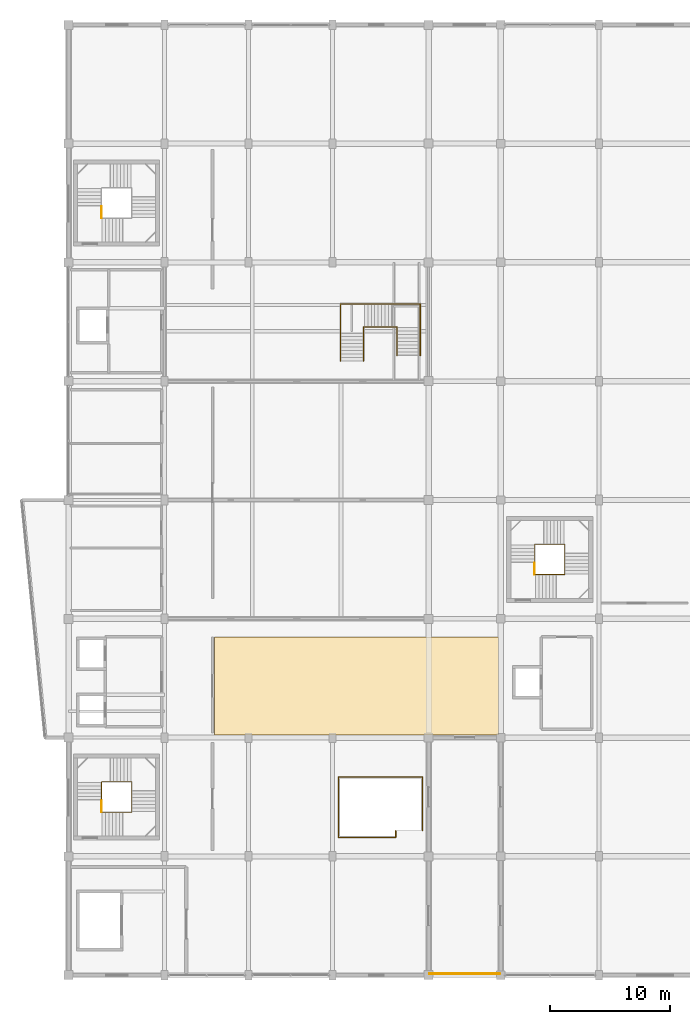
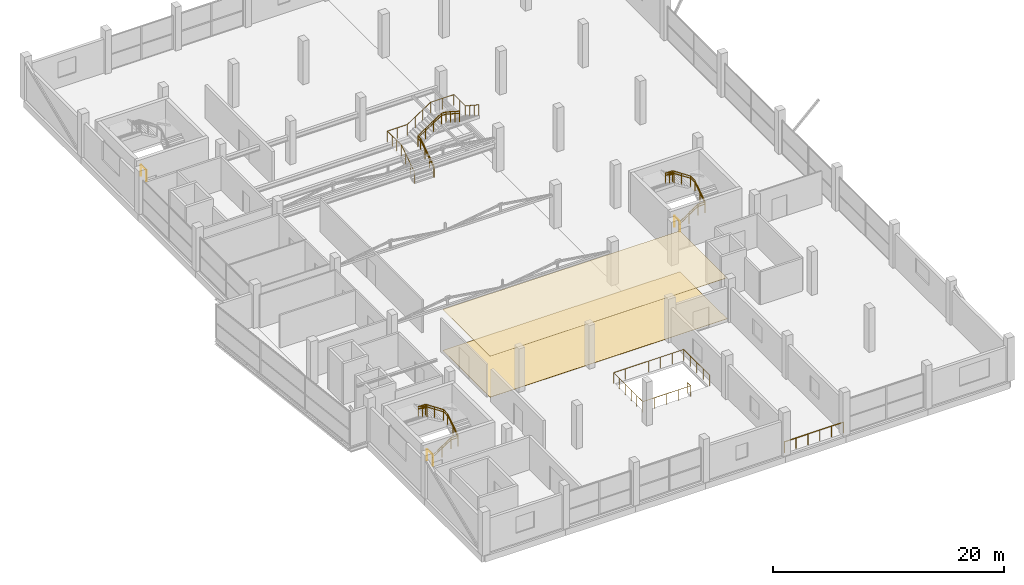
# One storey, part 48 of 49: 12 railings, 2 coverings.
"""IFC4 building model written with IfcOpenShell, lengths in metres."""

from ifc_helpers import new_model, si_unit, direction, frame, origin, origin_2d, place, context, subcontext, project, spatial, polyline, circle, outline, extrude, material, layer, layer_set, type_object, element, save


model = new_model("IFC4")

# Units and contexts
model_context = context("Model", 3, precision=1e-05, world=origin(), true_north=direction((0.0, 1.0)))
body_context = subcontext(model_context, "Body", "Model", "MODEL_VIEW")
ifc_project = project(units=[si_unit("LENGTHUNIT", "METRE"), si_unit("AREAUNIT", "SQUARE_METRE"), si_unit("VOLUMEUNIT", "CUBIC_METRE"), si_unit("PLANEANGLEUNIT", "RADIAN"), si_unit("MASSUNIT", "GRAM", prefix="KILO")], contexts=[model_context])

# Site, building, storey
site_placement = place(None, origin())
site = spatial("IfcSite", under=ifc_project, at=site_placement, CompositionType="ELEMENT")
building_placement = place(site_placement, origin())
building = spatial("IfcBuilding", under=site, at=building_placement, Name="Sillaruma Civic Art Gallery", CompositionType="ELEMENT")
storey_placement = place(building_placement, frame((0.0, 0.0, 33.14990234375)))
storey = spatial("IfcBuildingStorey", under=building, at=storey_placement, Name="L06", CompositionType="ELEMENT", Elevation=33.14990234375)

# Coverings
ifc_material_1 = material(Name="Gypsum Acoustic Board", Category="gypsum")
ifc_layer_1 = layer(ifc_material_1, 0.030029296875, Name="Gypsum Acoustic Board")
ifc_layer_set_1 = layer_set([ifc_layer_1], Name="Gypsum Acoustic Board")
covering_type_1 = type_object("IfcCoveringType", Name="COV-CLG-30", PredefinedType="CEILING", material=ifc_layer_set_1)
covering_1_placement = place(storey_placement, frame((0.0, 0.0, 4.320068359375)))
element("IfcCovering", 1, at=covering_1_placement, inside=storey, type_object=covering_type_1, Name="Acoustic Gallery Ceiling (L06-GAL61)", PredefinedType="CEILING", context=body_context, shape_type="SweptSolid", body=[
    extrude(outline(polyline([(74.159912109375, 39.81005859375), (97.840087890625, 39.81005859375), (97.840087890625, 47.989990234375), (74.159912109375, 47.989990234375), (74.159912109375, 39.81005859375)])), origin(), (0.0, 0.0, 1.0), 0.030029296875),
])
ifc_material_2 = material(Name="Polished Terrazzo", Category="masonry")
ifc_layer_2 = layer(ifc_material_2, 0.02490234375, Name="Polished Terrazzo")
ifc_layer_set_2 = layer_set([ifc_layer_2], Name="Polished Terrazzo")
covering_type_2 = type_object("IfcCoveringType", Name="COV-FLR-25", PredefinedType="FLOORING", material=ifc_layer_set_2)
covering_2_placement = place(storey_placement, origin())
element("IfcCovering", 2, at=covering_2_placement, inside=storey, type_object=covering_type_2, Name="Gallery Stone Terrazzo Flooring (L06-GAL61)", PredefinedType="FLOORING", context=body_context, shape_type="SweptSolid", body=[
    extrude(outline(polyline([(74.159912109375, 39.81005859375), (97.840087890625, 39.81005859375), (97.840087890625, 47.989990234375), (74.159912109375, 47.989990234375), (74.159912109375, 39.81005859375)])), origin(), (0.0, 0.0, 1.0), 0.025146484375),
])

# Railings
ifc_material_3 = material(Name="Stainless Steel AISI 316", Category="steel")
railing_type_1 = type_object("IfcRailingType", Name="RAL-BAL-1150", PredefinedType="BALUSTRADE", material=ifc_material_3)
railing_1_placement = place(storey_placement, frame((92.06005859375, 19.919921875, 0.0)))
element("IfcRailing", 3, at=railing_1_placement, inside=storey, type_object=railing_type_1, Name="Sculpture Terrace Balustrade (SLB-L06-TER-CS-1)", PredefinedType="BALUSTRADE", context=body_context, shape_type="SweptSolid", body=[
    extrude(circle(Radius=0.02392578125, at=origin_2d()), frame((0.0, 0.0, 1.1259765625), z_axis=(1.0, 0.0, 0.0), x_axis=(0.0, 1.0, 0.0)), (0.0, 0.0, 1.0), 5.8798828125),
    extrude(circle(Radius=0.02099609375, at=origin_2d()), origin(), (0.0, 0.0, 1.0), 1.101806640625),
    extrude(circle(Radius=0.02099609375, at=origin_2d()), frame((1.176025390625, 0.0, 0.0)), (0.0, 0.0, 1.0), 1.101806640625),
    extrude(circle(Radius=0.02099609375, at=origin_2d()), frame((2.35205078125, 0.0, 0.0)), (0.0, 0.0, 1.0), 1.101806640625),
    extrude(circle(Radius=0.02099609375, at=origin_2d()), frame((3.52783203125, 0.0, 0.0)), (0.0, 0.0, 1.0), 1.101806640625),
    extrude(circle(Radius=0.02099609375, at=origin_2d()), frame((4.703857421875, 0.0, 0.0)), (0.0, 0.0, 1.0), 1.101806640625),
    extrude(circle(Radius=0.02099609375, at=origin_2d()), frame((5.8798828125, 0.0, 0.0)), (0.0, 0.0, 1.0), 1.101806640625),
])
for number, where, name in (
    (4, (64.739990234375, 82.889892578125, 0.0), "Stair Floor Edge Guard (ST-02:L06)"),
    (5, (64.739990234375, 33.389892578125, 0.0), "Stair Floor Edge Guard (ST-03:L06)"),
):
    element("IfcRailing", number, at=place(storey_placement, frame(where)), inside=storey, type_object=railing_type_1, Name=name, PredefinedType="BALUSTRADE", context=body_context, shape_type="SweptSolid", body=[
        extrude(circle(Radius=0.02392578125, at=origin_2d()), frame((0.0, 0.0, 1.1259765625), z_axis=(0.0, 1.0, 0.0), x_axis=(-1.0, 0.0, 0.0)), (0.0, 0.0, 1.0), 0.97021484375),
        extrude(circle(Radius=0.02099609375, at=origin_2d()), origin(), (0.0, 0.0, 1.0), 1.101806640625),
        extrude(circle(Radius=0.02099609375, at=origin_2d()), frame((0.0, 0.97021484375, 0.0)), (0.0, 0.0, 1.0), 1.101806640625),
    ])
railing_2_placement = place(storey_placement, frame((64.739990234375, 33.389892578125, 0.0)))
element("IfcRailing", 6, at=railing_2_placement, inside=storey, type_object=railing_type_1, Name="Stair Well Balustrade (ST-03-L06)", PredefinedType="BALUSTRADE", context=body_context, shape_type="SweptSolid", body=[
    extrude(circle(Radius=0.02392578125, at=origin_2d()), frame((0.0, 0.0, 1.1259765625), z_axis=(0.834150363844, 0.0, 0.551537098025), x_axis=(0.0, 1.0, 0.0)), (0.0, 0.0, 1.0), 2.157958984375),
    extrude(circle(Radius=0.02392578125, at=origin_2d()), frame((1.800048828125, 0.0, 2.31591796875), z_axis=(1.0, 0.0, 0.0), x_axis=(0.0, 1.0, 0.0)), (0.0, 0.0, 1.0), 0.719970703125),
    extrude(circle(Radius=0.02392578125, at=origin_2d()), frame((2.52001953125, 0.0, 2.31591796875), z_axis=(0.0, 0.834202413191, 0.551458369984), x_axis=(-1.0, 0.0, 0.0)), (0.0, 0.0, 1.0), 2.15771484375),
    extrude(circle(Radius=0.02392578125, at=origin_2d()), frame((2.52001953125, 1.800048828125, 3.505859375), z_axis=(0.0, 1.0, 0.0), x_axis=(-1.0, 0.0, 0.0)), (0.0, 0.0, 1.0), 0.719970703125),
    extrude(circle(Radius=0.02392578125, at=origin_2d()), frame((2.52001953125, 2.52001953125, 3.505859375), z_axis=(-0.834202413191, 0.0, 0.551458369984), x_axis=(0.0, -1.0, 0.0)), (0.0, 0.0, 1.0), 2.15771484375),
    extrude(circle(Radius=0.02392578125, at=origin_2d()), frame((0.719970703125, 2.52001953125, 4.69580078125), z_axis=(-1.0, 0.0, 0.0), x_axis=(0.0, -1.0, 0.0)), (0.0, 0.0, 1.0), 0.719970703125),
    extrude(circle(Radius=0.02392578125, at=origin_2d()), frame((0.0, 2.52001953125, 4.69580078125), z_axis=(0.0, -0.828654473869, 0.559760451387), x_axis=(1.0, 0.0, 0.0)), (0.0, 0.0, 1.0), 1.822265625),
    extrude(circle(Radius=0.02099609375, at=origin_2d()), origin(), (0.0, 0.0, 1.0), 1.101806640625),
    extrude(circle(Radius=0.02099609375, at=origin_2d()), frame((0.89990234375, 0.0, 0.59521484375)), (0.0, 0.0, 1.0), 1.101806640625),
    extrude(circle(Radius=0.02099609375, at=origin_2d()), frame((1.800048828125, 0.0, 1.190185546875)), (0.0, 0.0, 1.0), 1.101806640625),
    extrude(circle(Radius=0.02099609375, at=origin_2d()), frame((2.52001953125, 0.0, 1.190185546875)), (0.0, 0.0, 1.0), 1.101806640625),
    extrude(circle(Radius=0.02099609375, at=origin_2d()), frame((2.52001953125, 0.89990234375, 1.78515625)), (0.0, 0.0, 1.0), 1.101806640625),
    extrude(circle(Radius=0.02099609375, at=origin_2d()), frame((2.52001953125, 1.800048828125, 2.380126953125)), (0.0, 0.0, 1.0), 1.101806640625),
    extrude(circle(Radius=0.02099609375, at=origin_2d()), frame((2.52001953125, 2.52001953125, 2.380126953125)), (0.0, 0.0, 1.0), 1.101806640625),
    extrude(circle(Radius=0.02099609375, at=origin_2d()), frame((1.6201171875, 2.52001953125, 2.97509765625)), (0.0, 0.0, 1.0), 1.101806640625),
    extrude(circle(Radius=0.02099609375, at=origin_2d()), frame((0.719970703125, 2.52001953125, 3.570068359375)), (0.0, 0.0, 1.0), 1.101806640625),
    extrude(circle(Radius=0.02099609375, at=origin_2d()), frame((0.0, 2.52001953125, 3.570068359375)), (0.0, 0.0, 1.0), 1.101806640625),
    extrude(circle(Radius=0.02099609375, at=origin_2d()), frame((0.0, 1.76513671875, 4.080078125)), (0.0, 0.0, 1.0), 1.101806640625),
    extrude(circle(Radius=0.02099609375, at=origin_2d()), frame((0.0, 1.010009765625, 4.590087890625)), (0.0, 0.0, 1.0), 1.101806640625),
])
railing_3_placement = place(storey_placement, frame((100.840087890625, 53.18994140625, 0.0)))
element("IfcRailing", 7, at=railing_3_placement, inside=storey, type_object=railing_type_1, Name="Stair Floor Edge Guard (ST-04:L06)", PredefinedType="BALUSTRADE", context=body_context, shape_type="SweptSolid", body=[
    extrude(circle(Radius=0.02392578125, at=origin_2d()), frame((0.0, 0.0, 1.1259765625), z_axis=(0.0, 1.0, 0.0), x_axis=(-1.0, 0.0, 0.0)), (0.0, 0.0, 1.0), 0.969970703125),
    extrude(circle(Radius=0.02099609375, at=origin_2d()), origin(), (0.0, 0.0, 1.0), 1.101806640625),
    extrude(circle(Radius=0.02099609375, at=origin_2d()), frame((0.0, 0.969970703125, 0.0)), (0.0, 0.0, 1.0), 1.101806640625),
])
railing_4_placement = place(storey_placement, frame((100.840087890625, 53.18994140625, 0.0)))
element("IfcRailing", 8, at=railing_4_placement, inside=storey, type_object=railing_type_1, Name="Stair Well Balustrade (ST-04-L06)", PredefinedType="BALUSTRADE", context=body_context, shape_type="SweptSolid", body=[
    extrude(circle(Radius=0.02392578125, at=origin_2d()), frame((0.0, 0.0, 1.1259765625), z_axis=(0.83411594383, 0.0, 0.551589151678), x_axis=(0.0, 1.0, 0.0)), (0.0, 0.0, 1.0), 2.15771484375),
    extrude(circle(Radius=0.02392578125, at=origin_2d()), frame((1.7998046875, 0.0, 2.31591796875), z_axis=(1.0, 0.0, 0.0), x_axis=(0.0, 1.0, 0.0)), (0.0, 0.0, 1.0), 0.72021484375),
    extrude(circle(Radius=0.02392578125, at=origin_2d()), frame((2.52001953125, 0.0, 2.31591796875), z_axis=(0.0, 0.834202413191, 0.551458369984), x_axis=(-1.0, 0.0, 0.0)), (0.0, 0.0, 1.0), 2.15771484375),
    extrude(circle(Radius=0.02392578125, at=origin_2d()), frame((2.52001953125, 1.800048828125, 3.505859375), z_axis=(0.0, 1.0, 0.0), x_axis=(-1.0, 0.0, 0.0)), (0.0, 0.0, 1.0), 0.719970703125),
    extrude(circle(Radius=0.02392578125, at=origin_2d()), frame((2.52001953125, 2.52001953125, 3.505859375), z_axis=(-0.834202413191, 0.0, 0.551458369984), x_axis=(0.0, -1.0, 0.0)), (0.0, 0.0, 1.0), 2.15771484375),
    extrude(circle(Radius=0.02392578125, at=origin_2d()), frame((0.719970703125, 2.52001953125, 4.69580078125), z_axis=(-1.0, 0.0, 0.0), x_axis=(0.0, -1.0, 0.0)), (0.0, 0.0, 1.0), 0.719970703125),
    extrude(circle(Radius=0.02392578125, at=origin_2d()), frame((0.0, 2.52001953125, 4.69580078125), z_axis=(0.0, -0.828654473869, 0.559760451387), x_axis=(1.0, 0.0, 0.0)), (0.0, 0.0, 1.0), 1.822265625),
    extrude(circle(Radius=0.02099609375, at=origin_2d()), origin(), (0.0, 0.0, 1.0), 1.101806640625),
    extrude(circle(Radius=0.02099609375, at=origin_2d()), frame((0.89990234375, 0.0, 0.59521484375)), (0.0, 0.0, 1.0), 1.101806640625),
    extrude(circle(Radius=0.02099609375, at=origin_2d()), frame((1.7998046875, 0.0, 1.190185546875)), (0.0, 0.0, 1.0), 1.101806640625),
    extrude(circle(Radius=0.02099609375, at=origin_2d()), frame((2.52001953125, 0.0, 1.190185546875)), (0.0, 0.0, 1.0), 1.101806640625),
    extrude(circle(Radius=0.02099609375, at=origin_2d()), frame((2.52001953125, 0.89990234375, 1.78515625)), (0.0, 0.0, 1.0), 1.101806640625),
    extrude(circle(Radius=0.02099609375, at=origin_2d()), frame((2.52001953125, 1.800048828125, 2.380126953125)), (0.0, 0.0, 1.0), 1.101806640625),
    extrude(circle(Radius=0.02099609375, at=origin_2d()), frame((2.52001953125, 2.52001953125, 2.380126953125)), (0.0, 0.0, 1.0), 1.101806640625),
    extrude(circle(Radius=0.02099609375, at=origin_2d()), frame((1.6201171875, 2.52001953125, 2.97509765625)), (0.0, 0.0, 1.0), 1.101806640625),
    extrude(circle(Radius=0.02099609375, at=origin_2d()), frame((0.719970703125, 2.52001953125, 3.570068359375)), (0.0, 0.0, 1.0), 1.101806640625),
    extrude(circle(Radius=0.02099609375, at=origin_2d()), frame((0.0, 2.52001953125, 3.570068359375)), (0.0, 0.0, 1.0), 1.101806640625),
    extrude(circle(Radius=0.02099609375, at=origin_2d()), frame((0.0, 1.76513671875, 4.080078125)), (0.0, 0.0, 1.0), 1.101806640625),
    extrude(circle(Radius=0.02099609375, at=origin_2d()), frame((0.0, 1.010009765625, 4.590087890625)), (0.0, 0.0, 1.0), 1.101806640625),
])
railing_5_placement = place(storey_placement, frame((89.260009765625, 31.840087890625, 0.0)))
element("IfcRailing", 9, at=railing_5_placement, inside=storey, type_object=railing_type_1, Name="Feature Stair Arrival Well Balustrade (ST-G02)", PredefinedType="BALUSTRADE", context=body_context, shape_type="SweptSolid", body=[
    extrude(circle(Radius=0.02392578125, at=origin_2d()), frame((0.0, 0.0, 1.1259765625), z_axis=(0.0, -1.0, 0.0), x_axis=(1.0, 0.0, 0.0)), (0.0, 0.0, 1.0), 0.56005859375),
    extrude(circle(Radius=0.02392578125, at=origin_2d()), frame((0.0, -0.56005859375, 1.1259765625), z_axis=(-1.0, 0.0, 0.0), x_axis=(0.0, -1.0, 0.0)), (0.0, 0.0, 1.0), 4.780029296875),
    extrude(circle(Radius=0.02392578125, at=origin_2d()), frame((-4.780029296875, -0.56005859375, 1.1259765625), z_axis=(0.0, 1.0, 0.0), x_axis=(-1.0, 0.0, 0.0)), (0.0, 0.0, 1.0), 5.0400390625),
    extrude(circle(Radius=0.02392578125, at=origin_2d()), frame((-4.780029296875, 4.47998046875, 1.1259765625), z_axis=(1.0, 0.0, 0.0), x_axis=(0.0, 1.0, 0.0)), (0.0, 0.0, 1.0), 7.0),
    extrude(circle(Radius=0.02392578125, at=origin_2d()), frame((2.219970703125, 4.47998046875, 1.1259765625), z_axis=(0.0, -1.0, 0.0), x_axis=(1.0, 0.0, 0.0)), (0.0, 0.0, 1.0), 4.47998046875),
    extrude(circle(Radius=0.02099609375, at=origin_2d()), origin(), (0.0, 0.0, 1.0), 1.101806640625),
    extrude(circle(Radius=0.02099609375, at=origin_2d()), frame((0.0, -0.56005859375, 0.0)), (0.0, 0.0, 1.0), 1.101806640625),
    extrude(circle(Radius=0.02099609375, at=origin_2d()), frame((-1.195068359375, -0.56005859375, 0.0)), (0.0, 0.0, 1.0), 1.101806640625),
    extrude(circle(Radius=0.02099609375, at=origin_2d()), frame((-2.39013671875, -0.56005859375, 0.0)), (0.0, 0.0, 1.0), 1.101806640625),
    extrude(circle(Radius=0.02099609375, at=origin_2d()), frame((-3.5849609375, -0.56005859375, 0.0)), (0.0, 0.0, 1.0), 1.101806640625),
    extrude(circle(Radius=0.02099609375, at=origin_2d()), frame((-4.780029296875, -0.56005859375, 0.0)), (0.0, 0.0, 1.0), 1.101806640625),
    extrude(circle(Radius=0.02099609375, at=origin_2d()), frame((-4.780029296875, 0.447998046875, 0.0)), (0.0, 0.0, 1.0), 1.101806640625),
    extrude(circle(Radius=0.02099609375, at=origin_2d()), frame((-4.780029296875, 1.4560546875, 0.0)), (0.0, 0.0, 1.0), 1.101806640625),
    extrude(circle(Radius=0.02099609375, at=origin_2d()), frame((-4.780029296875, 2.4638671875, 0.0)), (0.0, 0.0, 1.0), 1.101806640625),
    extrude(circle(Radius=0.02099609375, at=origin_2d()), frame((-4.780029296875, 3.471923828125, 0.0)), (0.0, 0.0, 1.0), 1.101806640625),
    extrude(circle(Radius=0.02099609375, at=origin_2d()), frame((-4.780029296875, 4.47998046875, 0.0)), (0.0, 0.0, 1.0), 1.101806640625),
    extrude(circle(Radius=0.02099609375, at=origin_2d()), frame((-3.61328125, 4.47998046875, 0.0)), (0.0, 0.0, 1.0), 1.101806640625),
    extrude(circle(Radius=0.02099609375, at=origin_2d()), frame((-2.44677734375, 4.47998046875, 0.0)), (0.0, 0.0, 1.0), 1.101806640625),
    extrude(circle(Radius=0.02099609375, at=origin_2d()), frame((-1.280029296875, 4.47998046875, 0.0)), (0.0, 0.0, 1.0), 1.101806640625),
    extrude(circle(Radius=0.02099609375, at=origin_2d()), frame((-0.11328125, 4.47998046875, 0.0)), (0.0, 0.0, 1.0), 1.101806640625),
    extrude(circle(Radius=0.02099609375, at=origin_2d()), frame((1.05322265625, 4.47998046875, 0.0)), (0.0, 0.0, 1.0), 1.101806640625),
    extrude(circle(Radius=0.02099609375, at=origin_2d()), frame((2.219970703125, 4.47998046875, 0.0)), (0.0, 0.0, 1.0), 1.101806640625),
    extrude(circle(Radius=0.02099609375, at=origin_2d()), frame((2.219970703125, 3.35986328125, 0.0)), (0.0, 0.0, 1.0), 1.101806640625),
    extrude(circle(Radius=0.02099609375, at=origin_2d()), frame((2.219970703125, 2.239990234375, 0.0)), (0.0, 0.0, 1.0), 1.101806640625),
    extrude(circle(Radius=0.02099609375, at=origin_2d()), frame((2.219970703125, 1.1201171875, 0.0)), (0.0, 0.0, 1.0), 1.101806640625),
    extrude(circle(Radius=0.02099609375, at=origin_2d()), frame((2.219970703125, 0.0, 0.0)), (0.0, 0.0, 1.0), 1.101806640625),
])
railing_6_placement = place(storey_placement, frame((86.580078125, 71.0, 0.0)))
element("IfcRailing", 10, at=railing_6_placement, inside=storey, type_object=railing_type_1, Name="Feature Stair Inner Guard (ST-G03)", PredefinedType="BALUSTRADE", context=body_context, shape_type="SweptSolid", body=[
    extrude(circle(Radius=0.02392578125, at=origin_2d()), frame((0.0, 0.0, 1.1259765625), z_axis=(0.0, 0.834810476361, 0.55053743611), x_axis=(-1.0, 0.0, 0.0)), (0.0, 0.0, 1.0), 2.779052734375),
    extrude(circle(Radius=0.02392578125, at=origin_2d()), frame((0.0, 2.320068359375, 2.65576171875), z_axis=(0.0, 1.0, 0.0), x_axis=(-1.0, 0.0, 0.0)), (0.0, 0.0, 1.0), 0.5),
    extrude(circle(Radius=0.02392578125, at=origin_2d()), frame((0.0, 2.820068359375, 2.65576171875), z_axis=(0.841161652958, 0.0, 0.540783758626), x_axis=(0.0, 1.0, 0.0)), (0.0, 0.0, 1.0), 2.829345703125),
    extrude(circle(Radius=0.02392578125, at=origin_2d()), frame((2.3798828125, 2.820068359375, 4.18603515625), z_axis=(1.0, 0.0, 0.0), x_axis=(0.0, 1.0, 0.0)), (0.0, 0.0, 1.0), 0.419921875),
    extrude(circle(Radius=0.02392578125, at=origin_2d()), frame((2.7998046875, 2.820068359375, 4.18603515625), z_axis=(0.0, -0.84118688567, 0.540744508411), x_axis=(1.0, 0.0, 0.0)), (0.0, 0.0, 1.0), 2.82958984375),
    extrude(circle(Radius=0.02099609375, at=origin_2d()), origin(), (0.0, 0.0, 1.0), 1.101806640625),
    extrude(circle(Radius=0.02099609375, at=origin_2d()), frame((0.0, 0.7734375, 0.510009765625)), (0.0, 0.0, 1.0), 1.101806640625),
    extrude(circle(Radius=0.02099609375, at=origin_2d()), frame((0.0, 1.546630859375, 1.02001953125)), (0.0, 0.0, 1.0), 1.101806640625),
    extrude(circle(Radius=0.02099609375, at=origin_2d()), frame((0.0, 2.320068359375, 1.530029296875)), (0.0, 0.0, 1.0), 1.101806640625),
    extrude(circle(Radius=0.02099609375, at=origin_2d()), frame((0.0, 2.820068359375, 1.530029296875)), (0.0, 0.0, 1.0), 1.101806640625),
    extrude(circle(Radius=0.02099609375, at=origin_2d()), frame((0.793212890625, 2.820068359375, 2.0400390625)), (0.0, 0.0, 1.0), 1.101806640625),
    extrude(circle(Radius=0.02099609375, at=origin_2d()), frame((1.586669921875, 2.820068359375, 2.550048828125)), (0.0, 0.0, 1.0), 1.101806640625),
    extrude(circle(Radius=0.02099609375, at=origin_2d()), frame((2.3798828125, 2.820068359375, 3.06005859375)), (0.0, 0.0, 1.0), 1.101806640625),
    extrude(circle(Radius=0.02099609375, at=origin_2d()), frame((2.7998046875, 2.820068359375, 3.06005859375)), (0.0, 0.0, 1.0), 1.101806640625),
    extrude(circle(Radius=0.02099609375, at=origin_2d()), frame((2.7998046875, 2.026611328125, 3.570068359375)), (0.0, 0.0, 1.0), 1.101806640625),
    extrude(circle(Radius=0.02099609375, at=origin_2d()), frame((2.7998046875, 1.2333984375, 4.080078125)), (0.0, 0.0, 1.0), 1.101806640625),
    extrude(circle(Radius=0.02099609375, at=origin_2d()), frame((2.7998046875, 0.43994140625, 4.590087890625)), (0.0, 0.0, 1.0), 1.101806640625),
])
railing_7_placement = place(storey_placement, frame((84.659912109375, 71.0, 0.0)))
element("IfcRailing", 11, at=railing_7_placement, inside=storey, type_object=railing_type_1, Name="Feature Stair Outer Guard (ST-G03)", PredefinedType="BALUSTRADE", context=body_context, shape_type="SweptSolid", body=[
    extrude(circle(Radius=0.02392578125, at=origin_2d()), frame((0.0, 0.0, 1.1259765625), z_axis=(0.0, 0.834810476361, 0.55053743611), x_axis=(-1.0, 0.0, 0.0)), (0.0, 0.0, 1.0), 2.779052734375),
    extrude(circle(Radius=0.02392578125, at=origin_2d()), frame((0.0, 2.320068359375, 2.65576171875), z_axis=(0.0, 1.0, 0.0), x_axis=(-1.0, 0.0, 0.0)), (0.0, 0.0, 1.0), 2.419921875),
    extrude(circle(Radius=0.02392578125, at=origin_2d()), frame((0.0, 4.739990234375, 2.65576171875), z_axis=(1.0, 0.0, 0.0), x_axis=(0.0, 1.0, 0.0)), (0.0, 0.0, 1.0), 1.97998046875),
    extrude(circle(Radius=0.02392578125, at=origin_2d()), frame((1.97998046875, 4.739990234375, 2.65576171875), z_axis=(0.834810476361, 0.0, 0.55053743611), x_axis=(0.0, 1.0, 0.0)), (0.0, 0.0, 1.0), 2.779052734375),
    extrude(circle(Radius=0.02392578125, at=origin_2d()), frame((4.300048828125, 4.739990234375, 4.18603515625), z_axis=(1.0, 0.0, 0.0), x_axis=(0.0, 1.0, 0.0)), (0.0, 0.0, 1.0), 2.340087890625),
    extrude(circle(Radius=0.02392578125, at=origin_2d()), frame((6.64013671875, 4.739990234375, 4.18603515625), z_axis=(0.0, -1.0, 0.0), x_axis=(1.0, 0.0, 0.0)), (0.0, 0.0, 1.0), 1.97998046875),
    extrude(circle(Radius=0.02392578125, at=origin_2d()), frame((6.64013671875, 2.760009765625, 4.18603515625), z_axis=(0.0, -0.834810476361, 0.55053743611), x_axis=(1.0, 0.0, 0.0)), (0.0, 0.0, 1.0), 2.779052734375),
    extrude(circle(Radius=0.02099609375, at=origin_2d()), origin(), (0.0, 0.0, 1.0), 1.101806640625),
    extrude(circle(Radius=0.02099609375, at=origin_2d()), frame((0.0, 0.7734375, 0.510009765625)), (0.0, 0.0, 1.0), 1.101806640625),
    extrude(circle(Radius=0.02099609375, at=origin_2d()), frame((0.0, 1.546630859375, 1.02001953125)), (0.0, 0.0, 1.0), 1.101806640625),
    extrude(circle(Radius=0.02099609375, at=origin_2d()), frame((0.0, 2.320068359375, 1.530029296875)), (0.0, 0.0, 1.0), 1.101806640625),
    extrude(circle(Radius=0.02099609375, at=origin_2d()), frame((0.0, 3.126708984375, 1.530029296875)), (0.0, 0.0, 1.0), 1.101806640625),
    extrude(circle(Radius=0.02099609375, at=origin_2d()), frame((0.0, 3.933349609375, 1.530029296875)), (0.0, 0.0, 1.0), 1.101806640625),
    extrude(circle(Radius=0.02099609375, at=origin_2d()), frame((0.0, 4.739990234375, 1.530029296875)), (0.0, 0.0, 1.0), 1.101806640625),
    extrude(circle(Radius=0.02099609375, at=origin_2d()), frame((0.989990234375, 4.739990234375, 1.530029296875)), (0.0, 0.0, 1.0), 1.101806640625),
    extrude(circle(Radius=0.02099609375, at=origin_2d()), frame((1.97998046875, 4.739990234375, 1.530029296875)), (0.0, 0.0, 1.0), 1.101806640625),
    extrude(circle(Radius=0.02099609375, at=origin_2d()), frame((2.75341796875, 4.739990234375, 2.0400390625)), (0.0, 0.0, 1.0), 1.101806640625),
    extrude(circle(Radius=0.02099609375, at=origin_2d()), frame((3.526611328125, 4.739990234375, 2.550048828125)), (0.0, 0.0, 1.0), 1.101806640625),
    extrude(circle(Radius=0.02099609375, at=origin_2d()), frame((4.300048828125, 4.739990234375, 3.06005859375)), (0.0, 0.0, 1.0), 1.101806640625),
    extrude(circle(Radius=0.02099609375, at=origin_2d()), frame((5.47021484375, 4.739990234375, 3.06005859375)), (0.0, 0.0, 1.0), 1.101806640625),
    extrude(circle(Radius=0.02099609375, at=origin_2d()), frame((6.64013671875, 4.739990234375, 3.06005859375)), (0.0, 0.0, 1.0), 1.101806640625),
    extrude(circle(Radius=0.02099609375, at=origin_2d()), frame((6.64013671875, 3.75, 3.06005859375)), (0.0, 0.0, 1.0), 1.101806640625),
    extrude(circle(Radius=0.02099609375, at=origin_2d()), frame((6.64013671875, 2.760009765625, 3.06005859375)), (0.0, 0.0, 1.0), 1.101806640625),
    extrude(circle(Radius=0.02099609375, at=origin_2d()), frame((6.64013671875, 1.986572265625, 3.570068359375)), (0.0, 0.0, 1.0), 1.101806640625),
    extrude(circle(Radius=0.02099609375, at=origin_2d()), frame((6.64013671875, 1.21337890625, 4.080078125)), (0.0, 0.0, 1.0), 1.101806640625),
    extrude(circle(Radius=0.02099609375, at=origin_2d()), frame((6.64013671875, 0.43994140625, 4.590087890625)), (0.0, 0.0, 1.0), 1.101806640625),
])
railing_type_2 = type_object("IfcRailingType", Name="RAL-HND-920", PredefinedType="HANDRAIL", material=ifc_material_3)
railing_8_placement = place(storey_placement, frame((64.739990234375, 33.389892578125, 0.0)))
element("IfcRailing", 12, at=railing_8_placement, inside=storey, type_object=railing_type_2, Name="Stair Continuous Handrail (ST-03-L06)", PredefinedType="HANDRAIL", context=body_context, shape_type="SweptSolid", body=[
    extrude(circle(Radius=0.02392578125, at=origin_2d()), frame((0.0, 0.0, 0.89599609375), z_axis=(0.834150363844, 0.0, 0.551537098025), x_axis=(0.0, 1.0, 0.0)), (0.0, 0.0, 1.0), 2.157958984375),
    extrude(circle(Radius=0.02392578125, at=origin_2d()), frame((1.800048828125, 0.0, 2.0859375), z_axis=(1.0, 0.0, 0.0), x_axis=(0.0, 1.0, 0.0)), (0.0, 0.0, 1.0), 0.719970703125),
    extrude(circle(Radius=0.02392578125, at=origin_2d()), frame((2.52001953125, 0.0, 2.0859375), z_axis=(0.0, 0.834202413191, 0.551458369984), x_axis=(-1.0, 0.0, 0.0)), (0.0, 0.0, 1.0), 2.15771484375),
    extrude(circle(Radius=0.02392578125, at=origin_2d()), frame((2.52001953125, 1.800048828125, 3.27587890625), z_axis=(0.0, 1.0, 0.0), x_axis=(-1.0, 0.0, 0.0)), (0.0, 0.0, 1.0), 0.719970703125),
    extrude(circle(Radius=0.02392578125, at=origin_2d()), frame((2.52001953125, 2.52001953125, 3.27587890625), z_axis=(-0.834202413191, 0.0, 0.551458369984), x_axis=(0.0, -1.0, 0.0)), (0.0, 0.0, 1.0), 2.15771484375),
    extrude(circle(Radius=0.02392578125, at=origin_2d()), frame((0.719970703125, 2.52001953125, 4.4658203125), z_axis=(-1.0, 0.0, 0.0), x_axis=(0.0, -1.0, 0.0)), (0.0, 0.0, 1.0), 0.719970703125),
    extrude(circle(Radius=0.02392578125, at=origin_2d()), frame((0.0, 2.52001953125, 4.4658203125), z_axis=(0.0, -0.828654473869, 0.559760451387), x_axis=(1.0, 0.0, 0.0)), (0.0, 0.0, 1.0), 1.822265625),
    extrude(circle(Radius=0.02099609375, at=origin_2d()), origin(), (0.0, 0.0, 1.0), 0.871826171875),
    extrude(circle(Radius=0.02099609375, at=origin_2d()), frame((0.89990234375, 0.0, 0.59521484375)), (0.0, 0.0, 1.0), 0.871826171875),
    extrude(circle(Radius=0.02099609375, at=origin_2d()), frame((1.800048828125, 0.0, 1.190185546875)), (0.0, 0.0, 1.0), 0.871826171875),
    extrude(circle(Radius=0.02099609375, at=origin_2d()), frame((2.52001953125, 0.0, 1.190185546875)), (0.0, 0.0, 1.0), 0.871826171875),
    extrude(circle(Radius=0.02099609375, at=origin_2d()), frame((2.52001953125, 0.89990234375, 1.78515625)), (0.0, 0.0, 1.0), 0.871826171875),
    extrude(circle(Radius=0.02099609375, at=origin_2d()), frame((2.52001953125, 1.800048828125, 2.380126953125)), (0.0, 0.0, 1.0), 0.871826171875),
    extrude(circle(Radius=0.02099609375, at=origin_2d()), frame((2.52001953125, 2.52001953125, 2.380126953125)), (0.0, 0.0, 1.0), 0.871826171875),
    extrude(circle(Radius=0.02099609375, at=origin_2d()), frame((1.6201171875, 2.52001953125, 2.97509765625)), (0.0, 0.0, 1.0), 0.871826171875),
    extrude(circle(Radius=0.02099609375, at=origin_2d()), frame((0.719970703125, 2.52001953125, 3.570068359375)), (0.0, 0.0, 1.0), 0.871826171875),
    extrude(circle(Radius=0.02099609375, at=origin_2d()), frame((0.0, 2.52001953125, 3.570068359375)), (0.0, 0.0, 1.0), 0.871826171875),
    extrude(circle(Radius=0.02099609375, at=origin_2d()), frame((0.0, 1.76513671875, 4.080078125)), (0.0, 0.0, 1.0), 0.871826171875),
    extrude(circle(Radius=0.02099609375, at=origin_2d()), frame((0.0, 1.010009765625, 4.590087890625)), (0.0, 0.0, 1.0), 0.871826171875),
])
railing_9_placement = place(storey_placement, frame((100.840087890625, 53.18994140625, 0.0)))
element("IfcRailing", 13, at=railing_9_placement, inside=storey, type_object=railing_type_2, Name="Stair Continuous Handrail (ST-04-L06)", PredefinedType="HANDRAIL", context=body_context, shape_type="SweptSolid", body=[
    extrude(circle(Radius=0.02392578125, at=origin_2d()), frame((0.0, 0.0, 0.89599609375), z_axis=(0.83411594383, 0.0, 0.551589151678), x_axis=(0.0, 1.0, 0.0)), (0.0, 0.0, 1.0), 2.15771484375),
    extrude(circle(Radius=0.02392578125, at=origin_2d()), frame((1.7998046875, 0.0, 2.0859375), z_axis=(1.0, 0.0, 0.0), x_axis=(0.0, 1.0, 0.0)), (0.0, 0.0, 1.0), 0.72021484375),
    extrude(circle(Radius=0.02392578125, at=origin_2d()), frame((2.52001953125, 0.0, 2.0859375), z_axis=(0.0, 0.834202413191, 0.551458369984), x_axis=(-1.0, 0.0, 0.0)), (0.0, 0.0, 1.0), 2.15771484375),
    extrude(circle(Radius=0.02392578125, at=origin_2d()), frame((2.52001953125, 1.800048828125, 3.27587890625), z_axis=(0.0, 1.0, 0.0), x_axis=(-1.0, 0.0, 0.0)), (0.0, 0.0, 1.0), 0.719970703125),
    extrude(circle(Radius=0.02392578125, at=origin_2d()), frame((2.52001953125, 2.52001953125, 3.27587890625), z_axis=(-0.834202413191, 0.0, 0.551458369984), x_axis=(0.0, -1.0, 0.0)), (0.0, 0.0, 1.0), 2.15771484375),
    extrude(circle(Radius=0.02392578125, at=origin_2d()), frame((0.719970703125, 2.52001953125, 4.4658203125), z_axis=(-1.0, 0.0, 0.0), x_axis=(0.0, -1.0, 0.0)), (0.0, 0.0, 1.0), 0.719970703125),
    extrude(circle(Radius=0.02392578125, at=origin_2d()), frame((0.0, 2.52001953125, 4.4658203125), z_axis=(0.0, -0.828654473869, 0.559760451387), x_axis=(1.0, 0.0, 0.0)), (0.0, 0.0, 1.0), 1.822265625),
    extrude(circle(Radius=0.02099609375, at=origin_2d()), origin(), (0.0, 0.0, 1.0), 0.871826171875),
    extrude(circle(Radius=0.02099609375, at=origin_2d()), frame((0.89990234375, 0.0, 0.59521484375)), (0.0, 0.0, 1.0), 0.871826171875),
    extrude(circle(Radius=0.02099609375, at=origin_2d()), frame((1.7998046875, 0.0, 1.190185546875)), (0.0, 0.0, 1.0), 0.871826171875),
    extrude(circle(Radius=0.02099609375, at=origin_2d()), frame((2.52001953125, 0.0, 1.190185546875)), (0.0, 0.0, 1.0), 0.871826171875),
    extrude(circle(Radius=0.02099609375, at=origin_2d()), frame((2.52001953125, 0.89990234375, 1.78515625)), (0.0, 0.0, 1.0), 0.871826171875),
    extrude(circle(Radius=0.02099609375, at=origin_2d()), frame((2.52001953125, 1.800048828125, 2.380126953125)), (0.0, 0.0, 1.0), 0.871826171875),
    extrude(circle(Radius=0.02099609375, at=origin_2d()), frame((2.52001953125, 2.52001953125, 2.380126953125)), (0.0, 0.0, 1.0), 0.871826171875),
    extrude(circle(Radius=0.02099609375, at=origin_2d()), frame((1.6201171875, 2.52001953125, 2.97509765625)), (0.0, 0.0, 1.0), 0.871826171875),
    extrude(circle(Radius=0.02099609375, at=origin_2d()), frame((0.719970703125, 2.52001953125, 3.570068359375)), (0.0, 0.0, 1.0), 0.871826171875),
    extrude(circle(Radius=0.02099609375, at=origin_2d()), frame((0.0, 2.52001953125, 3.570068359375)), (0.0, 0.0, 1.0), 0.871826171875),
    extrude(circle(Radius=0.02099609375, at=origin_2d()), frame((0.0, 1.76513671875, 4.080078125)), (0.0, 0.0, 1.0), 0.871826171875),
    extrude(circle(Radius=0.02099609375, at=origin_2d()), frame((0.0, 1.010009765625, 4.590087890625)), (0.0, 0.0, 1.0), 0.871826171875),
])
railing_10_placement = place(storey_placement, frame((86.580078125, 71.0, 0.0)))
element("IfcRailing", 14, at=railing_10_placement, inside=storey, type_object=railing_type_2, Name="Feature Stair Handrail (ST-G03)", PredefinedType="HANDRAIL", context=body_context, shape_type="SweptSolid", body=[
    extrude(circle(Radius=0.02392578125, at=origin_2d()), frame((0.0, 0.0, 0.89599609375), z_axis=(0.0, 0.834810476361, 0.55053743611), x_axis=(-1.0, 0.0, 0.0)), (0.0, 0.0, 1.0), 2.779052734375),
    extrude(circle(Radius=0.02392578125, at=origin_2d()), frame((0.0, 2.320068359375, 2.42578125), z_axis=(0.0, 1.0, 0.0), x_axis=(-1.0, 0.0, 0.0)), (0.0, 0.0, 1.0), 0.5),
    extrude(circle(Radius=0.02392578125, at=origin_2d()), frame((0.0, 2.820068359375, 2.42578125), z_axis=(0.841161652958, 0.0, 0.540783758626), x_axis=(0.0, 1.0, 0.0)), (0.0, 0.0, 1.0), 2.829345703125),
    extrude(circle(Radius=0.02392578125, at=origin_2d()), frame((2.3798828125, 2.820068359375, 3.9560546875), z_axis=(1.0, 0.0, 0.0), x_axis=(0.0, 1.0, 0.0)), (0.0, 0.0, 1.0), 0.419921875),
    extrude(circle(Radius=0.02392578125, at=origin_2d()), frame((2.7998046875, 2.820068359375, 3.9560546875), z_axis=(0.0, -0.84118688567, 0.540744508411), x_axis=(1.0, 0.0, 0.0)), (0.0, 0.0, 1.0), 2.82958984375),
    extrude(circle(Radius=0.02099609375, at=origin_2d()), origin(), (0.0, 0.0, 1.0), 0.871826171875),
    extrude(circle(Radius=0.02099609375, at=origin_2d()), frame((0.0, 0.7734375, 0.510009765625)), (0.0, 0.0, 1.0), 0.871826171875),
    extrude(circle(Radius=0.02099609375, at=origin_2d()), frame((0.0, 1.546630859375, 1.02001953125)), (0.0, 0.0, 1.0), 0.871826171875),
    extrude(circle(Radius=0.02099609375, at=origin_2d()), frame((0.0, 2.320068359375, 1.530029296875)), (0.0, 0.0, 1.0), 0.871826171875),
    extrude(circle(Radius=0.02099609375, at=origin_2d()), frame((0.0, 2.820068359375, 1.530029296875)), (0.0, 0.0, 1.0), 0.871826171875),
    extrude(circle(Radius=0.02099609375, at=origin_2d()), frame((0.793212890625, 2.820068359375, 2.0400390625)), (0.0, 0.0, 1.0), 0.871826171875),
    extrude(circle(Radius=0.02099609375, at=origin_2d()), frame((1.586669921875, 2.820068359375, 2.550048828125)), (0.0, 0.0, 1.0), 0.871826171875),
    extrude(circle(Radius=0.02099609375, at=origin_2d()), frame((2.3798828125, 2.820068359375, 3.06005859375)), (0.0, 0.0, 1.0), 0.871826171875),
    extrude(circle(Radius=0.02099609375, at=origin_2d()), frame((2.7998046875, 2.820068359375, 3.06005859375)), (0.0, 0.0, 1.0), 0.871826171875),
    extrude(circle(Radius=0.02099609375, at=origin_2d()), frame((2.7998046875, 2.026611328125, 3.570068359375)), (0.0, 0.0, 1.0), 0.871826171875),
    extrude(circle(Radius=0.02099609375, at=origin_2d()), frame((2.7998046875, 1.2333984375, 4.080078125)), (0.0, 0.0, 1.0), 0.871826171875),
    extrude(circle(Radius=0.02099609375, at=origin_2d()), frame((2.7998046875, 0.43994140625, 4.590087890625)), (0.0, 0.0, 1.0), 0.871826171875),
])

save(model, "model.ifc")
